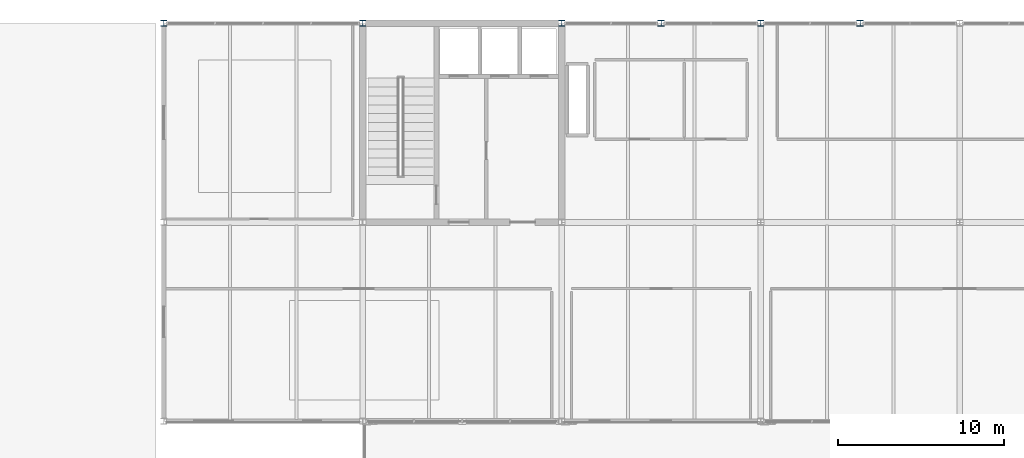
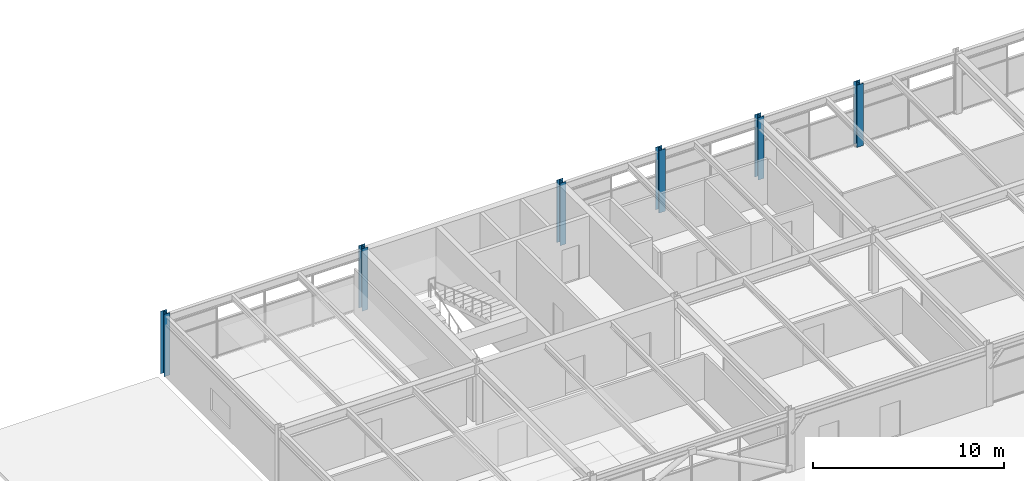
# One storey, part 3 of 30: 6 columns.
"""IFC4 building model written with IfcOpenShell, lengths in metres."""

from ifc_helpers import new_model, si_unit, direction, frame, origin, origin_2d, place, context, subcontext, project, spatial, i_section, extrude, material, material_profile, profile_set, type_object, element, save


model = new_model("IFC4")

# Units and contexts
model_context = context("Model", 3, precision=1e-05, world=origin(), true_north=direction((0.0, 1.0)))
body_context = subcontext(model_context, "Body", "Model", "MODEL_VIEW")
ifc_project = project(units=[si_unit("LENGTHUNIT", "METRE"), si_unit("AREAUNIT", "SQUARE_METRE"), si_unit("VOLUMEUNIT", "CUBIC_METRE"), si_unit("PLANEANGLEUNIT", "RADIAN"), si_unit("MASSUNIT", "GRAM", prefix="KILO")], contexts=[model_context])

# Site, building, storey
site_placement = place(None, origin())
site = spatial("IfcSite", under=ifc_project, at=site_placement, CompositionType="ELEMENT")
building_placement = place(site_placement, origin())
building = spatial("IfcBuilding", under=site, at=building_placement, Name="Girod Span Mobility Hub", CompositionType="ELEMENT")
storey_placement = place(building_placement, frame((0.0, 0.0, 49.60009765625)))
storey = spatial("IfcBuildingStorey", under=building, at=storey_placement, Name="L12", CompositionType="ELEMENT", Elevation=49.60009765625)

# Columns
ifc_material_1 = material(Name="Steel A992 Grade 50", Category="steel")
ifc_material_profile_1 = material_profile(ifc_material_1, i_section(OverallWidth=0.39404296875, OverallDepth=0.375, WebThickness=0.017333984375, FlangeThickness=0.027587890625, FilletRadius=0.01806640625, at=origin_2d()), Name="W14X145")
ifc_profile_set_1 = profile_set([ifc_material_profile_1], Name="Steel A992 Grade 50")
column_type_1 = type_object("IfcColumnType", Name="COL-STL-W14X145", PredefinedType="COLUMN", material=ifc_profile_set_1)
for number, where, z_axis, x_axis, name in (
    (1, (66.0, 69.0, 0.0), (0.0, 0.0, 1.0), (1.0, 0.0, 0.0), "Facade Intermediate Column INT-1 L12"),
    (2, (78.0, 69.0, 0.0), (0.0, 0.0, 1.0), (1.0, 0.0, 0.0), "Facade Intermediate Column INT-2 L12"),
):
    element("IfcColumn", number, at=place(storey_placement, frame(where, z_axis=z_axis, x_axis=x_axis)), inside=storey, type_object=column_type_1, Name=name, PredefinedType="COLUMN", context=body_context, shape_type="SweptSolid", body=[
        extrude(i_section(OverallWidth=0.39404296875, OverallDepth=0.375, WebThickness=0.017333984375, FlangeThickness=0.027587890625, FilletRadius=0.01806640625, at=origin_2d()), origin(), (0.0, 0.0, 1.0), 4.0),
    ])
ifc_material_2 = material(Name="Steel A992 Grade 50", Category="steel")
ifc_material_profile_2 = material_profile(ifc_material_2, i_section(OverallWidth=0.368896484375, OverallDepth=0.35595703125, WebThickness=0.01123046875, FlangeThickness=0.01806640625, FilletRadius=0.01806640625, at=origin_2d()), Name="W14X90")
ifc_profile_set_2 = profile_set([ifc_material_profile_2], Name="Steel A992 Grade 50")
column_type_2 = type_object("IfcColumnType", Name="COL-STL-W14X90", PredefinedType="COLUMN", material=ifc_profile_set_2)
for number, where, z_axis, x_axis, name in (
    (3, (36.0, 69.0, 0.0), (0.0, 0.0, 1.0), (1.0, 0.0, 0.0), "Column 4F L12"),
    (4, (48.0, 69.0, 0.0), (0.0, 0.0, 1.0), (1.0, 0.0, 0.0), "Column 5F L12"),
    (5, (60.0, 69.0, 0.0), (0.0, 0.0, 1.0), (1.0, 0.0, 0.0), "Column 6F L12"),
    (6, (72.0, 69.0, 0.0), (0.0, 0.0, 1.0), (1.0, 0.0, 0.0), "Column 7F L12"),
):
    element("IfcColumn", number, at=place(storey_placement, frame(where, z_axis=z_axis, x_axis=x_axis)), inside=storey, type_object=column_type_2, Name=name, PredefinedType="COLUMN", context=body_context, shape_type="SweptSolid", body=[
        extrude(i_section(OverallWidth=0.368896484375, OverallDepth=0.35595703125, WebThickness=0.01123046875, FlangeThickness=0.01806640625, FilletRadius=0.01806640625, at=origin_2d()), origin(), (0.0, 0.0, 1.0), 4.0),
    ])

save(model, "model.ifc")
